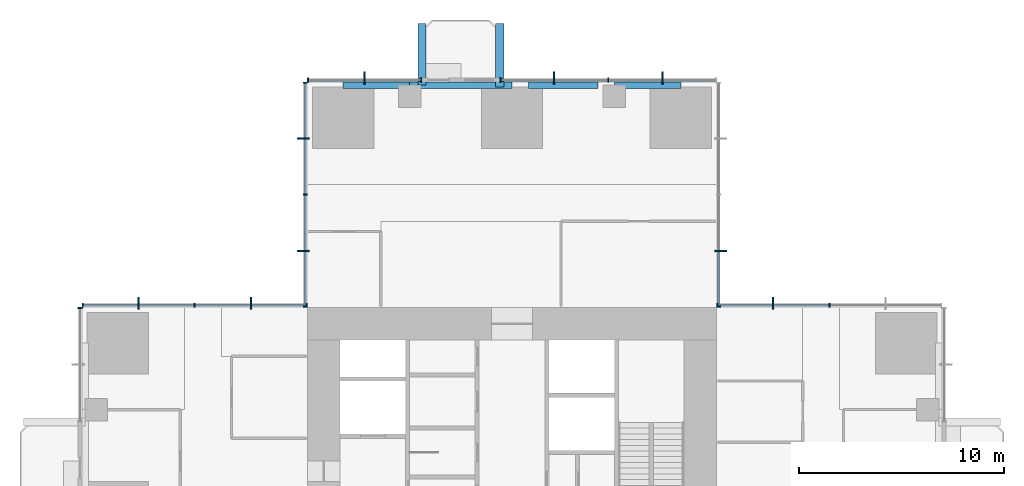
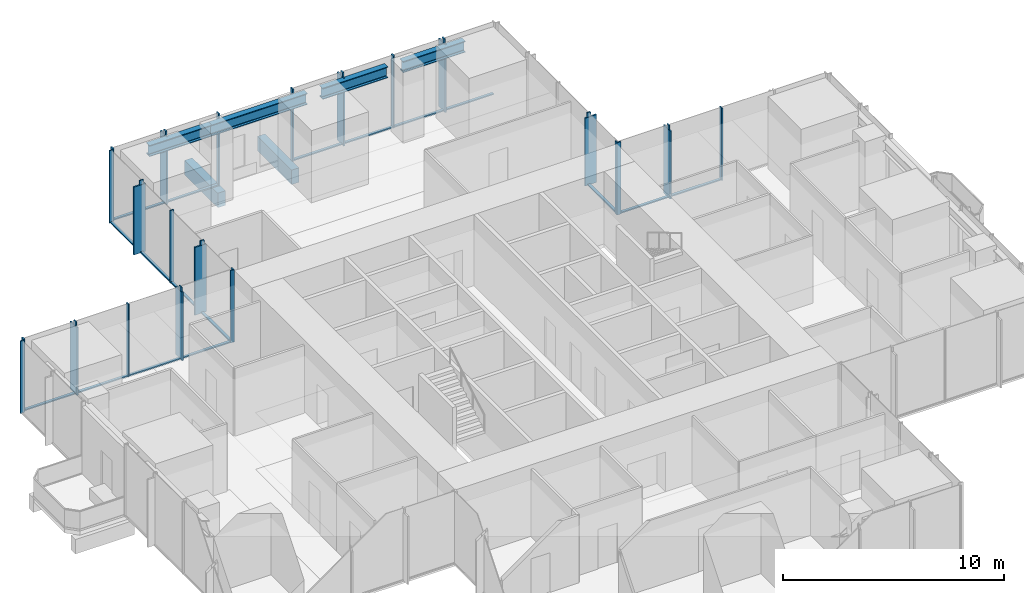
# One storey, part 5 of 13: 49 members, 6 beams, 7 elements without a shape of their own.
"""IFC4 building model written with IfcOpenShell, lengths in metres."""

from ifc_helpers import new_model, si_unit, direction, frame, origin, origin_2d, place, context, subcontext, project, spatial, rectangle, i_section, extrude, material, material_profile, profile_set, type_object, element, aggregate, save


model = new_model("IFC4")

# Units and contexts
model_context = context("Model", 3, precision=1e-05, world=origin(), true_north=direction((0.0, 1.0)))
body_context = subcontext(model_context, "Body", "Model", "MODEL_VIEW")
ifc_project = project(units=[si_unit("LENGTHUNIT", "METRE"), si_unit("AREAUNIT", "SQUARE_METRE"), si_unit("VOLUMEUNIT", "CUBIC_METRE"), si_unit("PLANEANGLEUNIT", "RADIAN"), si_unit("MASSUNIT", "GRAM", prefix="KILO")], contexts=[model_context])

# Site, building, storey
site_placement = place(None, origin())
site = spatial("IfcSite", under=ifc_project, at=site_placement, CompositionType="ELEMENT")
building_placement = place(site_placement, origin())
building = spatial("IfcBuilding", under=site, at=building_placement, Name="Svetlomir Tower", CompositionType="ELEMENT")
storey_placement = place(building_placement, frame((0.0, 0.0, 148.5)))
storey = spatial("IfcBuildingStorey", under=building, at=storey_placement, Name="L35", CompositionType="ELEMENT", Elevation=148.5)

# Beams
ifc_material_1 = material(Name="Concrete C60/75", Category="concrete")
ifc_material_profile_1 = material_profile(ifc_material_1, rectangle(XDim=0.39990234375, YDim=0.800048828125, at=origin_2d()), Name="RC 400x800")
ifc_profile_set_1 = profile_set([ifc_material_profile_1], Name="Concrete C60/75")
beam_type_1 = type_object("IfcBeamType", Name="BALCONY RIB RC 400x800", PredefinedType="BEAM", material=ifc_profile_set_1)
beam_1_placement = place(storey_placement, frame((16.60009765625, 41.85009765625, -0.64990234375), z_axis=(0.0, 1.0, 0.0), x_axis=(-1.0, 0.0, 0.0)))
element("IfcBeam", 1, at=beam_1_placement, inside=storey, type_object=beam_type_1, Name="Balcony rib N 1 L35", PredefinedType="BEAM", context=body_context, shape_type="SweptSolid", body=[
    extrude(rectangle(XDim=0.39990234375, YDim=0.800048828125, at=origin_2d()), origin(), (0.0, 0.0, 1.0), 3.0),
])
beam_2_placement = place(storey_placement, frame((20.39990234375, 41.75, -0.64990234375), z_axis=(0.0, 1.0, 0.0), x_axis=(-1.0, 0.0, 0.0)))
element("IfcBeam", 2, at=beam_2_placement, inside=storey, type_object=beam_type_1, Name="Balcony rib N 2 L35", PredefinedType="BEAM", context=body_context, shape_type="SweptSolid", body=[
    extrude(rectangle(XDim=0.39990234375, YDim=0.800048828125, at=origin_2d()), origin(), (0.0, 0.0, 1.0), 3.10009765625),
])

# Curtain wall, member
ifc_material_2 = material(Name="Bronze anodised aluminium curtain wall", Category="aluminium")
curtain_wall_type = type_object("IfcCurtainWallType", Name="CURTAIN WALL CW1 TOWER OFFICE", PredefinedType="NOTDEFINED", material=ifc_material_2)
curtain_wall_1_placement = place(storey_placement, origin())
curtain_wall_1 = element("IfcCurtainWall", 3, at=curtain_wall_1_placement, inside=storey, type_object=curtain_wall_type, Name="Curtain wall CW1 L35", PredefinedType="NOTDEFINED")
ifc_material_3 = material(Name="Bronze anodised aluminium", Category="aluminium")
ifc_material_profile_2 = material_profile(ifc_material_3, rectangle(XDim=0.080078125, YDim=0.60009765625, at=origin_2d()), Name="FIN 80x600")
ifc_profile_set_2 = profile_set([ifc_material_profile_2], Name="Bronze anodised aluminium 6063-T6")
member_type_1 = type_object("IfcMemberType", Name="BRONZE FIN 80x600", PredefinedType="USERDEFINED", material=ifc_profile_set_2)
member_1_placement = place(storey_placement, frame((33.75, 31.199951171875, 0.0), z_axis=(0.0, 0.0, 1.0), x_axis=(1.0, 0.0, 0.0)))
member_1 = element("IfcMember", 4, at=member_1_placement, type_object=member_type_1, Name="Bronze fin L35", ObjectType="FIN", PredefinedType="USERDEFINED", context=body_context, shape_type="SweptSolid", body=[
    extrude(rectangle(XDim=0.080078125, YDim=0.60009765625, at=origin_2d()), origin(), (0.0, 0.0, 1.0), 3.75),
])

curtain_wall_2_placement = place(storey_placement, origin())
curtain_wall_2 = element("IfcCurtainWall", 5, at=curtain_wall_2_placement, inside=storey, type_object=curtain_wall_type, Name="Curtain wall CW1 L35", PredefinedType="NOTDEFINED")
member_2_placement = place(storey_placement, frame((31.199951171875, 33.75, 0.0), z_axis=(0.0, 0.0, 1.0), x_axis=(0.0, 1.0, 0.0)))
member_2 = element("IfcMember", 6, at=member_2_placement, type_object=member_type_1, Name="Bronze fin L35", ObjectType="FIN", PredefinedType="USERDEFINED", context=body_context, shape_type="SweptSolid", body=[
    extrude(rectangle(XDim=0.080078125, YDim=0.60009765625, at=origin_2d()), origin(), (0.0, 0.0, 1.0), 3.75),
])

# Curtain wall, members
curtain_wall_3_placement = place(storey_placement, origin())
curtain_wall_3 = element("IfcCurtainWall", 7, at=curtain_wall_3_placement, inside=storey, type_object=curtain_wall_type, Name="Curtain wall CW1 L35", PredefinedType="NOTDEFINED")
member_3_placement = place(storey_placement, frame((28.35009765625, 42.199951171875, 0.0), z_axis=(0.0, 0.0, 1.0), x_axis=(1.0, 0.0, 0.0)))
member_3 = element("IfcMember", 8, at=member_3_placement, type_object=member_type_1, Name="Bronze fin L35", ObjectType="FIN", PredefinedType="USERDEFINED", context=body_context, shape_type="SweptSolid", body=[
    extrude(rectangle(XDim=0.080078125, YDim=0.60009765625, at=origin_2d()), origin(), (0.0, 0.0, 1.0), 3.75),
])
member_4_placement = place(storey_placement, frame((23.050048828125, 42.199951171875, 0.0), z_axis=(0.0, 0.0, 1.0), x_axis=(1.0, 0.0, 0.0)))
member_4 = element("IfcMember", 9, at=member_4_placement, type_object=member_type_1, Name="Bronze fin L35", ObjectType="FIN", PredefinedType="USERDEFINED", context=body_context, shape_type="SweptSolid", body=[
    extrude(rectangle(XDim=0.080078125, YDim=0.60009765625, at=origin_2d()), origin(), (0.0, 0.0, 1.0), 3.75),
])

# Curtain wall, member
curtain_wall_4_placement = place(storey_placement, origin())
curtain_wall_4 = element("IfcCurtainWall", 10, at=curtain_wall_4_placement, inside=storey, type_object=curtain_wall_type, Name="Curtain wall CW1 L35", PredefinedType="NOTDEFINED")
member_5_placement = place(storey_placement, frame((13.800048828125, 42.199951171875, 0.0), z_axis=(0.0, 0.0, 1.0), x_axis=(1.0, 0.0, 0.0)))
member_5 = element("IfcMember", 11, at=member_5_placement, type_object=member_type_1, Name="Bronze fin L35", ObjectType="FIN", PredefinedType="USERDEFINED", context=body_context, shape_type="SweptSolid", body=[
    extrude(rectangle(XDim=0.080078125, YDim=0.60009765625, at=origin_2d()), origin(), (0.0, 0.0, 1.0), 3.75),
])

# Curtain wall, members
curtain_wall_5_placement = place(storey_placement, origin())
curtain_wall_5 = element("IfcCurtainWall", 12, at=curtain_wall_5_placement, inside=storey, type_object=curtain_wall_type, Name="Curtain wall CW1 L35", PredefinedType="NOTDEFINED")
member_6_placement = place(storey_placement, frame((10.800048828125, 39.25, 0.0), z_axis=(0.0, 0.0, 1.0), x_axis=(0.0, 1.0, 0.0)))
member_6 = element("IfcMember", 13, at=member_6_placement, type_object=member_type_1, Name="Bronze fin L35", ObjectType="FIN", PredefinedType="USERDEFINED", context=body_context, shape_type="SweptSolid", body=[
    extrude(rectangle(XDim=0.080078125, YDim=0.60009765625, at=origin_2d()), origin(), (0.0, 0.0, 1.0), 3.75),
])
member_7_placement = place(storey_placement, frame((10.800048828125, 33.75, 0.0), z_axis=(0.0, 0.0, 1.0), x_axis=(0.0, 1.0, 0.0)))
member_7 = element("IfcMember", 14, at=member_7_placement, type_object=member_type_1, Name="Bronze fin L35", ObjectType="FIN", PredefinedType="USERDEFINED", context=body_context, shape_type="SweptSolid", body=[
    extrude(rectangle(XDim=0.080078125, YDim=0.60009765625, at=origin_2d()), origin(), (0.0, 0.0, 1.0), 3.75),
])

curtain_wall_6_placement = place(storey_placement, origin())
curtain_wall_6 = element("IfcCurtainWall", 15, at=curtain_wall_6_placement, inside=storey, type_object=curtain_wall_type, Name="Curtain wall CW1 L35", PredefinedType="NOTDEFINED")
member_8_placement = place(storey_placement, frame((8.25, 31.199951171875, 0.0), z_axis=(0.0, 0.0, 1.0), x_axis=(1.0, 0.0, 0.0)))
member_8 = element("IfcMember", 16, at=member_8_placement, type_object=member_type_1, Name="Bronze fin L35", ObjectType="FIN", PredefinedType="USERDEFINED", context=body_context, shape_type="SweptSolid", body=[
    extrude(rectangle(XDim=0.080078125, YDim=0.60009765625, at=origin_2d()), origin(), (0.0, 0.0, 1.0), 3.75),
])
member_9_placement = place(storey_placement, frame((2.75, 31.199951171875, 0.0), z_axis=(0.0, 0.0, 1.0), x_axis=(1.0, 0.0, 0.0)))
member_9 = element("IfcMember", 17, at=member_9_placement, type_object=member_type_1, Name="Bronze fin L35", ObjectType="FIN", PredefinedType="USERDEFINED", context=body_context, shape_type="SweptSolid", body=[
    extrude(rectangle(XDim=0.080078125, YDim=0.60009765625, at=origin_2d()), origin(), (0.0, 0.0, 1.0), 3.75),
])

# Member
ifc_material_4 = material(Name="Bronze anodised aluminium", Category="aluminium")
ifc_material_profile_3 = material_profile(ifc_material_4, rectangle(XDim=0.06494140625, YDim=0.199951171875, at=origin_2d()), Name="AL 65x200")
ifc_profile_set_3 = profile_set([ifc_material_profile_3], Name="Bronze anodised aluminium 6063-T6")
member_type_2 = type_object("IfcMemberType", Name="CW1 MULLION 65x200", PredefinedType="MULLION", material=ifc_profile_set_3)
member_10_placement = place(storey_placement, frame((36.5, 31.10009765625, 0.0), z_axis=(0.0, 0.0, 1.0), x_axis=(-1.0, 0.0, 0.0)))
member_10 = element("IfcMember", 18, at=member_10_placement, type_object=member_type_2, Name="CW1 mullion 3", PredefinedType="MULLION", context=body_context, shape_type="SweptSolid", body=[
    extrude(rectangle(XDim=0.06494140625, YDim=0.199951171875, at=origin_2d()), origin(), (0.0, 0.0, 1.0), 4.0),
])

member_11_placement = place(storey_placement, frame((33.75, 31.10009765625, 0.0), z_axis=(0.0, 0.0, 1.0), x_axis=(-1.0, 0.0, 0.0)))
member_11 = element("IfcMember", 19, at=member_11_placement, type_object=member_type_2, Name="CW1 mullion 4", PredefinedType="MULLION", context=body_context, shape_type="SweptSolid", body=[
    extrude(rectangle(XDim=0.06494140625, YDim=0.199951171875, at=origin_2d()), origin(), (0.0, 0.0, 1.0), 4.0),
])

member_12_placement = place(storey_placement, frame((31.032470703125, 31.10009765625, 0.0), z_axis=(0.0, 0.0, 1.0), x_axis=(-1.0, 0.0, 0.0)))
member_12 = element("IfcMember", 20, at=member_12_placement, type_object=member_type_2, Name="CW1 mullion 5", PredefinedType="MULLION", context=body_context, shape_type="SweptSolid", body=[
    extrude(rectangle(XDim=0.06494140625, YDim=0.199951171875, at=origin_2d()), origin(), (0.0, 0.0, 1.0), 4.0),
])

member_13_placement = place(storey_placement, frame((31.10009765625, 31.032470703125, 0.0), z_axis=(0.0, 0.0, 1.0), x_axis=(0.0, 1.0, 0.0)))
member_13 = element("IfcMember", 21, at=member_13_placement, type_object=member_type_2, Name="CW1 mullion 1", PredefinedType="MULLION", context=body_context, shape_type="SweptSolid", body=[
    extrude(rectangle(XDim=0.06494140625, YDim=0.199951171875, at=origin_2d()), origin(), (0.0, 0.0, 1.0), 4.0),
])

member_14_placement = place(storey_placement, frame((31.10009765625, 33.75, 0.0), z_axis=(0.0, 0.0, 1.0), x_axis=(0.0, 1.0, 0.0)))
member_14 = element("IfcMember", 22, at=member_14_placement, type_object=member_type_2, Name="CW1 mullion 2", PredefinedType="MULLION", context=body_context, shape_type="SweptSolid", body=[
    extrude(rectangle(XDim=0.06494140625, YDim=0.199951171875, at=origin_2d()), origin(), (0.0, 0.0, 1.0), 4.0),
])

member_15_placement = place(storey_placement, frame((28.35009765625, 42.10009765625, 0.0), z_axis=(0.0, 0.0, 1.0), x_axis=(-1.0, 0.0, 0.0)))
member_15 = element("IfcMember", 23, at=member_15_placement, type_object=member_type_2, Name="CW1 mullion 2", PredefinedType="MULLION", context=body_context, shape_type="SweptSolid", body=[
    extrude(rectangle(XDim=0.06494140625, YDim=0.199951171875, at=origin_2d()), origin(), (0.0, 0.0, 1.0), 4.0),
])

member_16_placement = place(storey_placement, frame((25.699951171875, 42.10009765625, 0.0), z_axis=(0.0, 0.0, 1.0), x_axis=(-1.0, 0.0, 0.0)))
member_16 = element("IfcMember", 24, at=member_16_placement, type_object=member_type_2, Name="CW1 mullion 3", PredefinedType="MULLION", context=body_context, shape_type="SweptSolid", body=[
    extrude(rectangle(XDim=0.06494140625, YDim=0.199951171875, at=origin_2d()), origin(), (0.0, 0.0, 1.0), 4.0),
])

member_17_placement = place(storey_placement, frame((23.050048828125, 42.10009765625, 0.0), z_axis=(0.0, 0.0, 1.0), x_axis=(-1.0, 0.0, 0.0)))
member_17 = element("IfcMember", 25, at=member_17_placement, type_object=member_type_2, Name="CW1 mullion 4", PredefinedType="MULLION", context=body_context, shape_type="SweptSolid", body=[
    extrude(rectangle(XDim=0.06494140625, YDim=0.199951171875, at=origin_2d()), origin(), (0.0, 0.0, 1.0), 4.0),
])

member_18_placement = place(storey_placement, frame((20.4326171875, 42.10009765625, 0.0), z_axis=(0.0, 0.0, 1.0), x_axis=(-1.0, 0.0, 0.0)))
member_18 = element("IfcMember", 26, at=member_18_placement, type_object=member_type_2, Name="CW1 mullion 5", PredefinedType="MULLION", context=body_context, shape_type="SweptSolid", body=[
    extrude(rectangle(XDim=0.06494140625, YDim=0.199951171875, at=origin_2d()), origin(), (0.0, 0.0, 1.0), 4.0),
])

member_19_placement = place(storey_placement, frame((16.5673828125, 42.10009765625, 0.0), z_axis=(0.0, 0.0, 1.0), x_axis=(-1.0, 0.0, 0.0)))
member_19 = element("IfcMember", 27, at=member_19_placement, type_object=member_type_2, Name="CW1 mullion 1", PredefinedType="MULLION", context=body_context, shape_type="SweptSolid", body=[
    extrude(rectangle(XDim=0.06494140625, YDim=0.199951171875, at=origin_2d()), origin(), (0.0, 0.0, 1.0), 4.0),
])

member_20_placement = place(storey_placement, frame((13.800048828125, 42.10009765625, 0.0), z_axis=(0.0, 0.0, 1.0), x_axis=(-1.0, 0.0, 0.0)))
member_20 = element("IfcMember", 28, at=member_20_placement, type_object=member_type_2, Name="CW1 mullion 2", PredefinedType="MULLION", context=body_context, shape_type="SweptSolid", body=[
    extrude(rectangle(XDim=0.06494140625, YDim=0.199951171875, at=origin_2d()), origin(), (0.0, 0.0, 1.0), 4.0),
])

member_21_placement = place(storey_placement, frame((11.032470703125, 42.10009765625, 0.0), z_axis=(0.0, 0.0, 1.0), x_axis=(-1.0, 0.0, 0.0)))
member_21 = element("IfcMember", 29, at=member_21_placement, type_object=member_type_2, Name="CW1 mullion 3", PredefinedType="MULLION", context=body_context, shape_type="SweptSolid", body=[
    extrude(rectangle(XDim=0.06494140625, YDim=0.199951171875, at=origin_2d()), origin(), (0.0, 0.0, 1.0), 4.0),
])

member_22_placement = place(storey_placement, frame((10.89990234375, 41.967529296875, 0.0), z_axis=(0.0, 0.0, 1.0), x_axis=(0.0, -1.0, 0.0)))
member_22 = element("IfcMember", 30, at=member_22_placement, type_object=member_type_2, Name="CW1 mullion 1", PredefinedType="MULLION", context=body_context, shape_type="SweptSolid", body=[
    extrude(rectangle(XDim=0.06494140625, YDim=0.199951171875, at=origin_2d()), origin(), (0.0, 0.0, 1.0), 4.0),
])

member_23_placement = place(storey_placement, frame((10.89990234375, 39.25, 0.0), z_axis=(0.0, 0.0, 1.0), x_axis=(0.0, -1.0, 0.0)))
member_23 = element("IfcMember", 31, at=member_23_placement, type_object=member_type_2, Name="CW1 mullion 2", PredefinedType="MULLION", context=body_context, shape_type="SweptSolid", body=[
    extrude(rectangle(XDim=0.06494140625, YDim=0.199951171875, at=origin_2d()), origin(), (0.0, 0.0, 1.0), 4.0),
])

member_24_placement = place(storey_placement, frame((10.89990234375, 36.5, 0.0), z_axis=(0.0, 0.0, 1.0), x_axis=(0.0, -1.0, 0.0)))
member_24 = element("IfcMember", 32, at=member_24_placement, type_object=member_type_2, Name="CW1 mullion 3", PredefinedType="MULLION", context=body_context, shape_type="SweptSolid", body=[
    extrude(rectangle(XDim=0.06494140625, YDim=0.199951171875, at=origin_2d()), origin(), (0.0, 0.0, 1.0), 4.0),
])

member_25_placement = place(storey_placement, frame((10.89990234375, 33.75, 0.0), z_axis=(0.0, 0.0, 1.0), x_axis=(0.0, -1.0, 0.0)))
member_25 = element("IfcMember", 33, at=member_25_placement, type_object=member_type_2, Name="CW1 mullion 4", PredefinedType="MULLION", context=body_context, shape_type="SweptSolid", body=[
    extrude(rectangle(XDim=0.06494140625, YDim=0.199951171875, at=origin_2d()), origin(), (0.0, 0.0, 1.0), 4.0),
])

member_26_placement = place(storey_placement, frame((10.89990234375, 31.032470703125, 0.0), z_axis=(0.0, 0.0, 1.0), x_axis=(0.0, -1.0, 0.0)))
member_26 = element("IfcMember", 34, at=member_26_placement, type_object=member_type_2, Name="CW1 mullion 5", PredefinedType="MULLION", context=body_context, shape_type="SweptSolid", body=[
    extrude(rectangle(XDim=0.06494140625, YDim=0.199951171875, at=origin_2d()), origin(), (0.0, 0.0, 1.0), 4.0),
])

member_27_placement = place(storey_placement, frame((10.967529296875, 31.10009765625, 0.0), z_axis=(0.0, 0.0, 1.0), x_axis=(-1.0, 0.0, 0.0)))
member_27 = element("IfcMember", 35, at=member_27_placement, type_object=member_type_2, Name="CW1 mullion 1", PredefinedType="MULLION", context=body_context, shape_type="SweptSolid", body=[
    extrude(rectangle(XDim=0.06494140625, YDim=0.199951171875, at=origin_2d()), origin(), (0.0, 0.0, 1.0), 4.0),
])

member_28_placement = place(storey_placement, frame((8.25, 31.10009765625, 0.0), z_axis=(0.0, 0.0, 1.0), x_axis=(-1.0, 0.0, 0.0)))
member_28 = element("IfcMember", 36, at=member_28_placement, type_object=member_type_2, Name="CW1 mullion 2", PredefinedType="MULLION", context=body_context, shape_type="SweptSolid", body=[
    extrude(rectangle(XDim=0.06494140625, YDim=0.199951171875, at=origin_2d()), origin(), (0.0, 0.0, 1.0), 4.0),
])

member_29_placement = place(storey_placement, frame((5.5, 31.10009765625, 0.0), z_axis=(0.0, 0.0, 1.0), x_axis=(-1.0, 0.0, 0.0)))
member_29 = element("IfcMember", 37, at=member_29_placement, type_object=member_type_2, Name="CW1 mullion 3", PredefinedType="MULLION", context=body_context, shape_type="SweptSolid", body=[
    extrude(rectangle(XDim=0.06494140625, YDim=0.199951171875, at=origin_2d()), origin(), (0.0, 0.0, 1.0), 4.0),
])

member_30_placement = place(storey_placement, frame((2.75, 31.10009765625, 0.0), z_axis=(0.0, 0.0, 1.0), x_axis=(-1.0, 0.0, 0.0)))
member_30 = element("IfcMember", 38, at=member_30_placement, type_object=member_type_2, Name="CW1 mullion 4", PredefinedType="MULLION", context=body_context, shape_type="SweptSolid", body=[
    extrude(rectangle(XDim=0.06494140625, YDim=0.199951171875, at=origin_2d()), origin(), (0.0, 0.0, 1.0), 4.0),
])

member_31_placement = place(storey_placement, frame((0.032470703125, 31.10009765625, 0.0), z_axis=(0.0, 0.0, 1.0), x_axis=(-1.0, 0.0, 0.0)))
member_31 = element("IfcMember", 39, at=member_31_placement, type_object=member_type_2, Name="CW1 mullion 5", PredefinedType="MULLION", context=body_context, shape_type="SweptSolid", body=[
    extrude(rectangle(XDim=0.06494140625, YDim=0.199951171875, at=origin_2d()), origin(), (0.0, 0.0, 1.0), 4.0),
])

# Curtain wall, member
curtain_wall_7_placement = place(storey_placement, origin())
curtain_wall_7 = element("IfcCurtainWall", 40, at=curtain_wall_7_placement, inside=storey, type_object=curtain_wall_type, Name="Curtain wall CW1 L35", PredefinedType="NOTDEFINED")
member_32_placement = place(storey_placement, frame((-0.10009765625, 30.967529296875, 0.0), z_axis=(0.0, 0.0, 1.0), x_axis=(0.0, -1.0, 0.0)))
member_32 = element("IfcMember", 41, at=member_32_placement, type_object=member_type_2, Name="CW1 mullion 1", PredefinedType="MULLION", context=body_context, shape_type="SweptSolid", body=[
    extrude(rectangle(XDim=0.06494140625, YDim=0.199951171875, at=origin_2d()), origin(), (0.0, 0.0, 1.0), 4.0),
])
aggregate(curtain_wall_7, [member_32])

# Member
ifc_material_5 = material(Name="Bronze anodised aluminium", Category="aluminium")
ifc_material_profile_4 = material_profile(ifc_material_5, rectangle(XDim=0.139892578125, YDim=0.06494140625, at=origin_2d()), Name="AL 140x65")
ifc_profile_set_4 = profile_set([ifc_material_profile_4], Name="Bronze anodised aluminium 6063-T6")
member_type_3 = type_object("IfcMemberType", Name="CW1 TRANSOM 65x140", PredefinedType="USERDEFINED", material=ifc_profile_set_4)
member_33_placement = place(storey_placement, frame((36.467529296875, 31.10009765625, 0.032470703125), z_axis=(-1.0, 0.0, 0.0), x_axis=(0.0, -1.0, 0.0)))
member_33 = element("IfcMember", 42, at=member_33_placement, type_object=member_type_3, Name="CW1 transom 3.1", ObjectType="TRANSOM", PredefinedType="USERDEFINED", context=body_context, shape_type="SweptSolid", body=[
    extrude(rectangle(XDim=0.139892578125, YDim=0.06494140625, at=origin_2d()), origin(), (0.0, 0.0, 1.0), 2.68505859375),
])

member_34_placement = place(storey_placement, frame((33.717529296875, 31.10009765625, 0.032470703125), z_axis=(-1.0, 0.0, 0.0), x_axis=(0.0, -1.0, 0.0)))
member_34 = element("IfcMember", 43, at=member_34_placement, type_object=member_type_3, Name="CW1 transom 4.1", ObjectType="TRANSOM", PredefinedType="USERDEFINED", context=body_context, shape_type="SweptSolid", body=[
    extrude(rectangle(XDim=0.139892578125, YDim=0.06494140625, at=origin_2d()), origin(), (0.0, 0.0, 1.0), 2.652587890625),
])

aggregate(curtain_wall_1, [member_10, member_11, member_12, member_33, member_34, member_1])

member_35_placement = place(storey_placement, frame((31.10009765625, 31.06494140625, 0.032470703125), z_axis=(0.0, 1.0, 0.0), x_axis=(-1.0, 0.0, 0.0)))
member_35 = element("IfcMember", 44, at=member_35_placement, type_object=member_type_3, Name="CW1 transom 1.1", ObjectType="TRANSOM", PredefinedType="USERDEFINED", context=body_context, shape_type="SweptSolid", body=[
    extrude(rectangle(XDim=0.139892578125, YDim=0.06494140625, at=origin_2d()), origin(), (0.0, 0.0, 1.0), 2.652587890625),
])

aggregate(curtain_wall_2, [member_13, member_14, member_35, member_2])

member_36_placement = place(storey_placement, frame((30.93505859375, 42.10009765625, 0.032470703125), z_axis=(-1.0, 0.0, 0.0), x_axis=(0.0, -1.0, 0.0)))
member_36 = element("IfcMember", 45, at=member_36_placement, type_object=member_type_3, Name="CW1 transom 1.1", ObjectType="TRANSOM", PredefinedType="USERDEFINED", context=body_context, shape_type="SweptSolid", body=[
    extrude(rectangle(XDim=0.139892578125, YDim=0.06494140625, at=origin_2d()), origin(), (0.0, 0.0, 1.0), 2.552490234375),
])

member_37_placement = place(storey_placement, frame((28.3173828125, 42.10009765625, 0.032470703125), z_axis=(-1.0, 0.0, 0.0), x_axis=(0.0, -1.0, 0.0)))
member_37 = element("IfcMember", 46, at=member_37_placement, type_object=member_type_3, Name="CW1 transom 2.1", ObjectType="TRANSOM", PredefinedType="USERDEFINED", context=body_context, shape_type="SweptSolid", body=[
    extrude(rectangle(XDim=0.139892578125, YDim=0.06494140625, at=origin_2d()), origin(), (0.0, 0.0, 1.0), 2.5849609375),
])

member_38_placement = place(storey_placement, frame((25.66748046875, 42.10009765625, 0.032470703125), z_axis=(-1.0, 0.0, 0.0), x_axis=(0.0, -1.0, 0.0)))
member_38 = element("IfcMember", 47, at=member_38_placement, type_object=member_type_3, Name="CW1 transom 3.1", ObjectType="TRANSOM", PredefinedType="USERDEFINED", context=body_context, shape_type="SweptSolid", body=[
    extrude(rectangle(XDim=0.139892578125, YDim=0.06494140625, at=origin_2d()), origin(), (0.0, 0.0, 1.0), 2.5849609375),
])

member_39_placement = place(storey_placement, frame((23.017578125, 42.10009765625, 0.032470703125), z_axis=(-1.0, 0.0, 0.0), x_axis=(0.0, -1.0, 0.0)))
member_39 = element("IfcMember", 48, at=member_39_placement, type_object=member_type_3, Name="CW1 transom 4.1", ObjectType="TRANSOM", PredefinedType="USERDEFINED", context=body_context, shape_type="SweptSolid", body=[
    extrude(rectangle(XDim=0.139892578125, YDim=0.06494140625, at=origin_2d()), origin(), (0.0, 0.0, 1.0), 2.552490234375),
])

aggregate(curtain_wall_3, [member_15, member_16, member_17, member_18, member_36, member_37, member_38, member_39, member_3, member_4])

member_40_placement = place(storey_placement, frame((16.534912109375, 42.10009765625, 0.032470703125), z_axis=(-1.0, 0.0, 0.0), x_axis=(0.0, -1.0, 0.0)))
member_40 = element("IfcMember", 49, at=member_40_placement, type_object=member_type_3, Name="CW1 transom 1.1", ObjectType="TRANSOM", PredefinedType="USERDEFINED", context=body_context, shape_type="SweptSolid", body=[
    extrude(rectangle(XDim=0.139892578125, YDim=0.06494140625, at=origin_2d()), origin(), (0.0, 0.0, 1.0), 2.702392578125),
])

member_41_placement = place(storey_placement, frame((13.767578125, 42.10009765625, 0.032470703125), z_axis=(-1.0, 0.0, 0.0), x_axis=(0.0, -1.0, 0.0)))
member_41 = element("IfcMember", 50, at=member_41_placement, type_object=member_type_3, Name="CW1 transom 2.1", ObjectType="TRANSOM", PredefinedType="USERDEFINED", context=body_context, shape_type="SweptSolid", body=[
    extrude(rectangle(XDim=0.139892578125, YDim=0.06494140625, at=origin_2d()), origin(), (0.0, 0.0, 1.0), 2.70263671875),
])

aggregate(curtain_wall_4, [member_19, member_20, member_21, member_40, member_41, member_5])

member_42_placement = place(storey_placement, frame((10.89990234375, 41.93505859375, 0.032470703125), z_axis=(0.0, -1.0, 0.0), x_axis=(1.0, 0.0, 0.0)))
member_42 = element("IfcMember", 51, at=member_42_placement, type_object=member_type_3, Name="CW1 transom 1.1", ObjectType="TRANSOM", PredefinedType="USERDEFINED", context=body_context, shape_type="SweptSolid", body=[
    extrude(rectangle(XDim=0.139892578125, YDim=0.06494140625, at=origin_2d()), origin(), (0.0, 0.0, 1.0), 2.652587890625),
])

member_43_placement = place(storey_placement, frame((10.89990234375, 39.217529296875, 0.032470703125), z_axis=(0.0, -1.0, 0.0), x_axis=(1.0, 0.0, 0.0)))
member_43 = element("IfcMember", 52, at=member_43_placement, type_object=member_type_3, Name="CW1 transom 2.1", ObjectType="TRANSOM", PredefinedType="USERDEFINED", context=body_context, shape_type="SweptSolid", body=[
    extrude(rectangle(XDim=0.139892578125, YDim=0.06494140625, at=origin_2d()), origin(), (0.0, 0.0, 1.0), 2.68505859375),
])

member_44_placement = place(storey_placement, frame((10.89990234375, 36.467529296875, 0.032470703125), z_axis=(0.0, -1.0, 0.0), x_axis=(1.0, 0.0, 0.0)))
member_44 = element("IfcMember", 53, at=member_44_placement, type_object=member_type_3, Name="CW1 transom 3.1", ObjectType="TRANSOM", PredefinedType="USERDEFINED", context=body_context, shape_type="SweptSolid", body=[
    extrude(rectangle(XDim=0.139892578125, YDim=0.06494140625, at=origin_2d()), origin(), (0.0, 0.0, 1.0), 2.68505859375),
])

member_45_placement = place(storey_placement, frame((10.89990234375, 33.717529296875, 0.032470703125), z_axis=(0.0, -1.0, 0.0), x_axis=(1.0, 0.0, 0.0)))
member_45 = element("IfcMember", 54, at=member_45_placement, type_object=member_type_3, Name="CW1 transom 4.1", ObjectType="TRANSOM", PredefinedType="USERDEFINED", context=body_context, shape_type="SweptSolid", body=[
    extrude(rectangle(XDim=0.139892578125, YDim=0.06494140625, at=origin_2d()), origin(), (0.0, 0.0, 1.0), 2.652587890625),
])

aggregate(curtain_wall_5, [member_22, member_23, member_24, member_25, member_26, member_42, member_43, member_44, member_45, member_6, member_7])

member_46_placement = place(storey_placement, frame((10.93505859375, 31.10009765625, 0.032470703125), z_axis=(-1.0, 0.0, 0.0), x_axis=(0.0, -1.0, 0.0)))
member_46 = element("IfcMember", 55, at=member_46_placement, type_object=member_type_3, Name="CW1 transom 1.1", ObjectType="TRANSOM", PredefinedType="USERDEFINED", context=body_context, shape_type="SweptSolid", body=[
    extrude(rectangle(XDim=0.139892578125, YDim=0.06494140625, at=origin_2d()), origin(), (0.0, 0.0, 1.0), 2.652587890625),
])

member_47_placement = place(storey_placement, frame((8.217529296875, 31.10009765625, 0.032470703125), z_axis=(-1.0, 0.0, 0.0), x_axis=(0.0, -1.0, 0.0)))
member_47 = element("IfcMember", 56, at=member_47_placement, type_object=member_type_3, Name="CW1 transom 2.1", ObjectType="TRANSOM", PredefinedType="USERDEFINED", context=body_context, shape_type="SweptSolid", body=[
    extrude(rectangle(XDim=0.139892578125, YDim=0.06494140625, at=origin_2d()), origin(), (0.0, 0.0, 1.0), 2.68505859375),
])

member_48_placement = place(storey_placement, frame((5.467529296875, 31.10009765625, 0.032470703125), z_axis=(-1.0, 0.0, 0.0), x_axis=(0.0, -1.0, 0.0)))
member_48 = element("IfcMember", 57, at=member_48_placement, type_object=member_type_3, Name="CW1 transom 3.1", ObjectType="TRANSOM", PredefinedType="USERDEFINED", context=body_context, shape_type="SweptSolid", body=[
    extrude(rectangle(XDim=0.139892578125, YDim=0.06494140625, at=origin_2d()), origin(), (0.0, 0.0, 1.0), 2.68505859375),
])

member_49_placement = place(storey_placement, frame((2.717529296875, 31.10009765625, 0.032470703125), z_axis=(-1.0, 0.0, 0.0), x_axis=(0.0, -1.0, 0.0)))
member_49 = element("IfcMember", 58, at=member_49_placement, type_object=member_type_3, Name="CW1 transom 4.1", ObjectType="TRANSOM", PredefinedType="USERDEFINED", context=body_context, shape_type="SweptSolid", body=[
    extrude(rectangle(XDim=0.139892578125, YDim=0.06494140625, at=origin_2d()), origin(), (0.0, 0.0, 1.0), 2.652587890625),
])

aggregate(curtain_wall_6, [member_27, member_28, member_29, member_30, member_31, member_46, member_47, member_48, member_49, member_8, member_9])

# Beams
ifc_material_6 = material(Name="Steel S355", Category="steel")
ifc_material_profile_5 = material_profile(ifc_material_6, i_section(OverallWidth=0.304931640625, OverallDepth=0.6201171875, WebThickness=0.02099609375, FlangeThickness=0.0400390625, FilletRadius=0.027099609375, at=origin_2d()), Name="HEM 600")
ifc_profile_set_5 = profile_set([ifc_material_profile_5], Name="Steel S355")
beam_type_2 = type_object("IfcBeamType", Name="EDGE BEAM HEM 600", PredefinedType="SPANDREL", material=ifc_profile_set_5)
beam_3_placement = place(storey_placement, frame((12.75, 41.847412109375, 3.43994140625), z_axis=(1.0, 0.0, 0.0), x_axis=(0.0, 1.0, 0.0)))
element("IfcBeam", 59, at=beam_3_placement, inside=storey, type_object=beam_type_2, Name="Edge beam 11/42 to 16/42 under L36", PredefinedType="SPANDREL", context=body_context, shape_type="SweptSolid", body=[
    extrude(i_section(OverallWidth=0.304931640625, OverallDepth=0.6201171875, WebThickness=0.02099609375, FlangeThickness=0.0400390625, FilletRadius=0.027099609375, at=origin_2d()), origin(), (0.0, 0.0, 1.0), 3.25),
])
beam_4_placement = place(storey_placement, frame((16.0, 41.847412109375, 3.43994140625), z_axis=(1.0, 0.0, 0.0), x_axis=(0.0, 1.0, 0.0)))
element("IfcBeam", 60, at=beam_4_placement, inside=storey, type_object=beam_type_2, Name="Edge beam 16/42 to 21/42 under L36", PredefinedType="SPANDREL", context=body_context, shape_type="SweptSolid", body=[
    extrude(i_section(OverallWidth=0.304931640625, OverallDepth=0.6201171875, WebThickness=0.02099609375, FlangeThickness=0.0400390625, FilletRadius=0.027099609375, at=origin_2d()), origin(), (0.0, 0.0, 1.0), 5.0),
])
beam_5_placement = place(storey_placement, frame((21.800048828125, 41.847412109375, 3.43994140625), z_axis=(1.0, 0.0, 0.0), x_axis=(0.0, 1.0, 0.0)))
element("IfcBeam", 61, at=beam_5_placement, inside=storey, type_object=beam_type_2, Name="Edge beam 21/42 to 26/42 under L36", PredefinedType="SPANDREL", context=body_context, shape_type="SweptSolid", body=[
    extrude(i_section(OverallWidth=0.304931640625, OverallDepth=0.6201171875, WebThickness=0.02099609375, FlangeThickness=0.0400390625, FilletRadius=0.027099609375, at=origin_2d()), origin(), (0.0, 0.0, 1.0), 3.39990234375),
])
beam_6_placement = place(storey_placement, frame((26.0, 41.847412109375, 3.43994140625), z_axis=(1.0, 0.0, 0.0), x_axis=(0.0, 1.0, 0.0)))
element("IfcBeam", 62, at=beam_6_placement, inside=storey, type_object=beam_type_2, Name="Edge beam 26/42 to 31/42 under L36", PredefinedType="SPANDREL", context=body_context, shape_type="SweptSolid", body=[
    extrude(i_section(OverallWidth=0.304931640625, OverallDepth=0.6201171875, WebThickness=0.02099609375, FlangeThickness=0.0400390625, FilletRadius=0.027099609375, at=origin_2d()), origin(), (0.0, 0.0, 1.0), 3.25),
])

save(model, "model.ifc")
